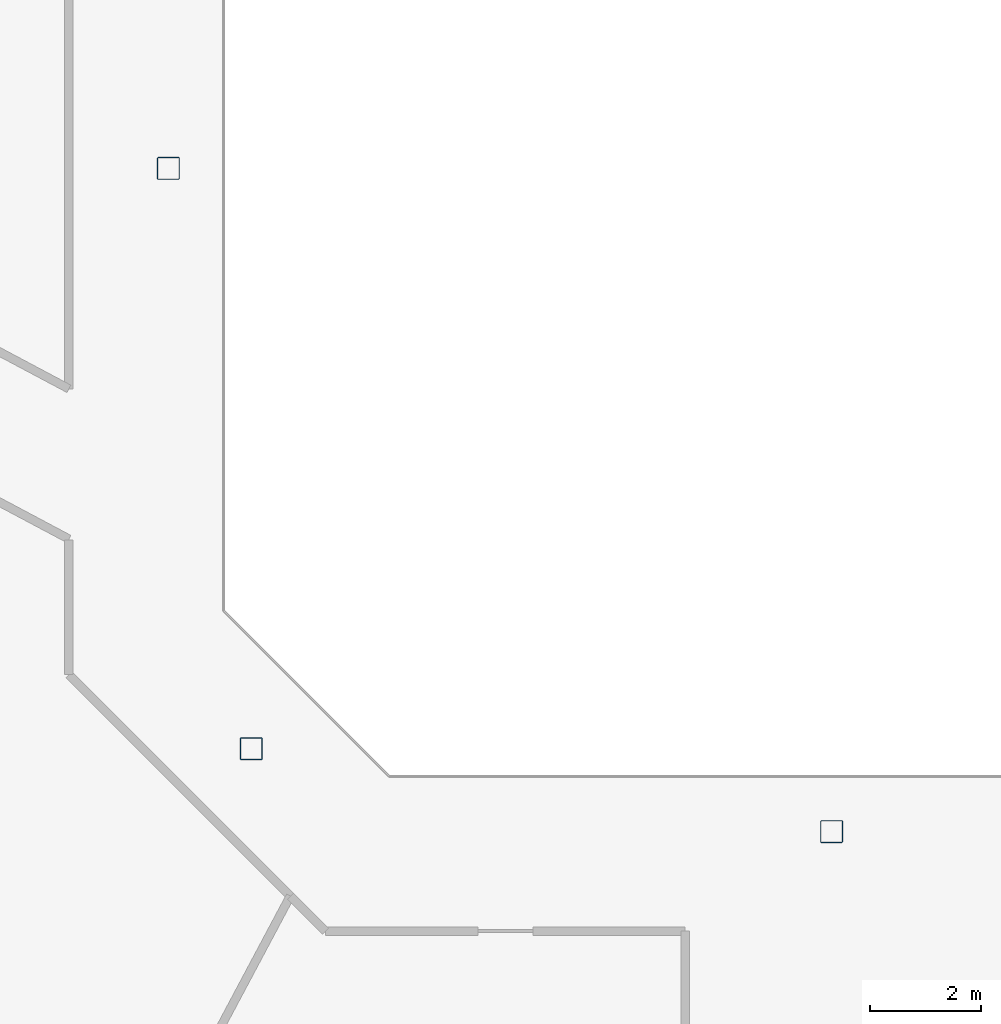
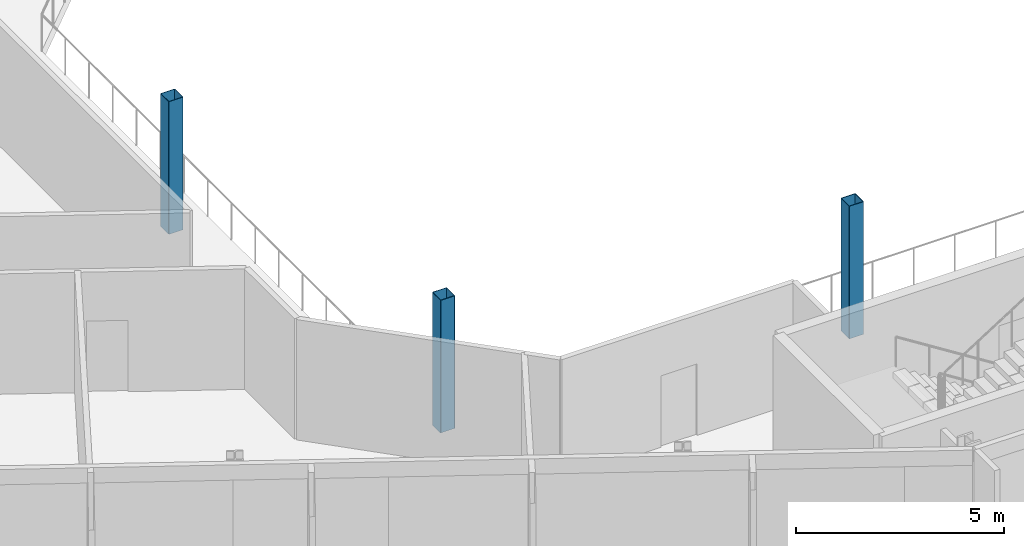
# One storey, part 2 of 27: 3 columns.
"""IFC4 building model written with IfcOpenShell, lengths in metres."""

import ifcopenshell
import ifcopenshell.guid

model = None  # the IFC model being written
_history = None  # IfcOwnerHistory: only IFC2X3 demands one
_inside = {}  # id of a spatial element -> (the spatial element, [elements in it])
_under = {}  # id of a project, library or spatial element -> (it, [spatial elements below it])
_declared = {}  # id of a project -> (the project, [libraries it declares])
_typed = {}  # id of a type object -> (the type object, [elements of that type])
_made_of = {}  # id of a material, layer set ... -> (it, [elements and type objects made of it])


def new_model(schema):
    """Start an empty IFC model of exactly this schema.

    Asked for "IFC4X3", IfcOpenShell would pick the latest addendum, in which some entities
    have other attributes; the version numbers below select the first issue.
    IFC2X3 requires an IfcOwnerHistory on every rooted entity: one is made here for all.
    """
    global model, _history
    if schema == "IFC4X3":
        model = ifcopenshell.file(schema_version=(4, 3, 0, 0))
    else:
        model = ifcopenshell.file(schema=schema)
    _inside.clear()
    _under.clear()
    _declared.clear()
    _typed.clear()
    _made_of.clear()
    _history = None
    if model.schema == "IFC2X3":
        org = make("IfcOrganization", Name="unknown")
        user = make(
            "IfcPersonAndOrganization",
            ThePerson=make("IfcPerson", FamilyName="unknown"),
            TheOrganization=org,
        )
        app = make(
            "IfcApplication",
            ApplicationDeveloper=org,
            Version="unknown",
            ApplicationFullName="unknown",
            ApplicationIdentifier="unknown",
        )
        _history = make(
            "IfcOwnerHistory",
            OwningUser=user,
            OwningApplication=app,
            ChangeAction="ADDED",
            CreationDate=0,
        )
    return model


def make(cls, **values):
    """One entity of the class cls with the attributes given. An attribute that is None is left unset."""
    return model.create_entity(
        cls, **{name: value for name, value in values.items() if value is not None}
    )


def rooted(cls, **values):
    """An entity with a GlobalId (a new one), such as an element, a storey or a relation."""
    return make(cls, GlobalId=ifcopenshell.guid.new(), OwnerHistory=_history, **values)


def si_unit(unit_type, name, prefix=None):
    """IfcSIUnit, for example si_unit("LENGTHUNIT", "METRE", prefix="MILLI")."""
    return make("IfcSIUnit", UnitType=unit_type, Prefix=prefix, Name=name)


def assignment(units):
    """IfcUnitAssignment: the units of a project."""
    return None if units is None else make("IfcUnitAssignment", Units=units)


def point(xyz):
    """IfcCartesianPoint."""
    return None if xyz is None else make("IfcCartesianPoint", Coordinates=xyz)


def direction(xyz):
    """IfcDirection."""
    return None if xyz is None else make("IfcDirection", DirectionRatios=xyz)


def frame(location, z_axis=None, x_axis=None):
    """IfcAxis2Placement3D, a coordinate frame: its origin and axes. An axis left out is left unset."""
    return make(
        "IfcAxis2Placement3D",
        Location=point(location),
        Axis=direction(z_axis),
        RefDirection=direction(x_axis),
    )


def frame_2d(location, x_axis=None):
    """IfcAxis2Placement2D, a coordinate frame in the plane: its origin and x axis."""
    return make(
        "IfcAxis2Placement2D", Location=point(location), RefDirection=direction(x_axis)
    )


def origin():
    """The frame at (0, 0, 0) with its axes left unset."""
    return frame((0.0, 0.0, 0.0))


def origin_2d():
    """The frame at (0, 0) in the plane with its x axis left unset."""
    return frame_2d((0.0, 0.0))


def place(relative_to, where):
    """IfcLocalPlacement: puts the frame where relative to a parent placement (None: the world)."""
    return make(
        "IfcLocalPlacement", PlacementRelTo=relative_to, RelativePlacement=where
    )


def context(
    kind, dimensions, precision=None, world=None, true_north=None, identifier=None
):
    """IfcGeometricRepresentationContext, for example the 3D "Model" context."""
    return make(
        "IfcGeometricRepresentationContext",
        ContextIdentifier=identifier,
        ContextType=kind,
        CoordinateSpaceDimension=dimensions,
        Precision=precision,
        WorldCoordinateSystem=world,
        TrueNorth=true_north,
    )


def subcontext(parent, identifier, kind, view, scale=None):
    """IfcGeometricRepresentationSubContext, for example "Body" below "Model"."""
    return make(
        "IfcGeometricRepresentationSubContext",
        ContextIdentifier=identifier,
        ContextType=kind,
        ParentContext=parent,
        TargetScale=scale,
        TargetView=view,
    )


def project(units=None, contexts=None):
    """IfcProject with its units and contexts."""
    return rooted(
        "IfcProject",
        Name="project",
        RepresentationContexts=contexts,
        UnitsInContext=assignment(units),
    )


def spatial(cls, under=None, at=None, **own):
    """A site, building, storey or space (cls), placed at a placement, below another one or the project."""
    s = rooted(cls, ObjectPlacement=at, **own)
    if under is not None:
        _under.setdefault(under.id(), (under, []))[1].append(s)
    return s


def profile(cls, at=None, kind="AREA", **sizes):
    """A parametric profile (cls). Its sizes go by their IFC names, for example OverallWidth=200.0."""
    return make(cls, ProfileType=kind, Position=at, **sizes)


def hollow_rectangle(**sizes):
    """IfcRectangleHollowProfileDef."""
    return profile("IfcRectangleHollowProfileDef", **sizes)


def extrude(swept, where, along, depth):
    """IfcExtrudedAreaSolid: the profile swept, set in the frame where, extruded along a direction by depth."""
    return make(
        "IfcExtrudedAreaSolid",
        SweptArea=swept,
        Position=where,
        ExtrudedDirection=direction(along),
        Depth=depth,
    )


def shape(context_of_items, identifier, shape_type, items):
    """IfcShapeRepresentation: the items that make up one representation, for example the "Body"."""
    return make(
        "IfcShapeRepresentation",
        ContextOfItems=context_of_items,
        RepresentationIdentifier=identifier,
        RepresentationType=shape_type,
        Items=items,
    )


def material(Name=None, Category=None):
    """IfcMaterial."""
    return make("IfcMaterial", Name=Name, Category=Category)


def material_profile(
    of_material, cross_section, Name=None, Category=None, Priority=None
):
    """IfcMaterialProfile: a cross section and its material."""
    return make(
        "IfcMaterialProfile",
        Name=Name,
        Material=of_material,
        Profile=cross_section,
        Priority=Priority,
        Category=Category,
    )


def profile_set(profiles, Name=None, composite=None):
    """IfcMaterialProfileSet."""
    return make(
        "IfcMaterialProfileSet",
        Name=Name,
        MaterialProfiles=profiles,
        CompositeProfile=composite,
    )


def made_of(thing, what):
    """Note that an element or type object is made of a material, layer set ...; save() writes the relation."""
    if what is not None:
        _made_of.setdefault(what.id(), (what, []))[1].append(thing)
    return thing


def type_object(cls, material=None, **own):
    """A type object (cls), such as IfcWallType, which elements share."""
    return made_of(rooted(cls, **own), material)


def element(
    cls,
    number,
    at=None,
    inside=None,
    cuts=None,
    type_object=None,
    material=None,
    context=None,
    identifier="Body",
    shape_type=None,
    held_by="IfcProductDefinitionShape",
    body=None,
    shapes=None,
    **own,
):
    """One element of the class cls, such as IfcWall. Its Tag is "e" and its number.

    at: its placement. inside: the storey or other place that contains it. cuts: it is an
    opening in that element (IfcRelVoidsElement). A single representation is given by context,
    identifier, shape_type and body (its items); several are given by shapes. held_by: the class
    of the entity that holds the representations. save() writes the other relations.
    """
    e = rooted(cls, Tag="e%d" % number, ObjectPlacement=at, **own)
    if body is not None:
        shapes = [shape(context, identifier, shape_type, body)]
    if shapes is not None:
        e.Representation = make(held_by, Representations=shapes)
    if inside is not None:
        _inside.setdefault(inside.id(), (inside, []))[1].append(e)
    if cuts is not None:
        rooted(
            "IfcRelVoidsElement", RelatingBuildingElement=cuts, RelatedOpeningElement=e
        )
    if type_object is not None:
        _typed.setdefault(type_object.id(), (type_object, []))[1].append(e)
    return made_of(e, material)


def aggregate(whole, parts):
    """IfcRelAggregates: a whole, such as a stair, and the parts it consists of."""
    return rooted("IfcRelAggregates", RelatingObject=whole, RelatedObjects=parts)


def save(model, path):
    """Write the relations noted so far, then the file.

    IfcRelAggregates (storeys below a building ...), IfcRelContainedInSpatialStructure (elements
    in a storey), IfcRelDefinesByType, IfcRelAssociatesMaterial and IfcRelDeclares: one each for
    every whole, place, type object, material and project.
    """
    for whole, parts in _under.values():
        aggregate(whole, parts)
    for where, things in _inside.values():
        rooted(
            "IfcRelContainedInSpatialStructure",
            RelatedElements=things,
            RelatingStructure=where,
        )
    for kind, things in _typed.values():
        rooted("IfcRelDefinesByType", RelatedObjects=things, RelatingType=kind)
    for what, things in _made_of.values():
        rooted("IfcRelAssociatesMaterial", RelatedObjects=things, RelatingMaterial=what)
    for by, libraries in _declared.values():
        rooted("IfcRelDeclares", RelatingContext=by, RelatedDefinitions=libraries)
    model.write(path)


model = new_model("IFC4")

# Units and contexts
model_context = context("Model", 3, precision=1e-05, world=origin(), true_north=direction((0.0, 1.0)))
body_context = subcontext(model_context, "Body", "Model", "MODEL_VIEW")
ifc_project = project(units=[si_unit("LENGTHUNIT", "METRE"), si_unit("AREAUNIT", "SQUARE_METRE"), si_unit("VOLUMEUNIT", "CUBIC_METRE"), si_unit("PLANEANGLEUNIT", "RADIAN"), si_unit("MASSUNIT", "GRAM", prefix="KILO")], contexts=[model_context])

# Site, building, storey
site_placement = place(None, origin())
site = spatial("IfcSite", under=ifc_project, at=site_placement, CompositionType="ELEMENT")
building_placement = place(site_placement, origin())
building = spatial("IfcBuilding", under=site, at=building_placement, Name="Cormorant Relay Tower", CompositionType="ELEMENT")
storey_placement = place(building_placement, frame((0.0, 0.0, 209.10009765625)))
storey = spatial("IfcBuildingStorey", under=building, at=storey_placement, Name="L45", CompositionType="ELEMENT", Elevation=209.10009765625)

# Columns
ifc_material = material(Name="Steel ASTM A500 Grade C (Fy 345 MPa)", Category="steel")
ifc_material_profile = material_profile(ifc_material, hollow_rectangle(XDim=0.406494140625, YDim=0.406494140625, WallThickness=0.0146484375, InnerFilletRadius=0.00732421875, OuterFilletRadius=0.022216796875, at=origin_2d()), Name="HSS406x406x15")
ifc_profile_set = profile_set([ifc_material_profile], Name="Steel ASTM A500 Grade C (Fy 345 MPa)")
column_type = type_object("IfcColumnType", Name="Column HSS406x406x15", PredefinedType="COLUMN", material=ifc_profile_set)
for number, where, z_axis, x_axis, name in (
    (1, (0.0, -12.0, 0.0), (0.0, 0.0, 1.0), (1.0, 0.0, 0.0), "Column L45-007"),
    (2, (-10.5, -10.5, 0.0), (0.0, 0.0, 1.0), (1.0, 0.0, 0.0), "Column L45-009"),
    (3, (-12.0, 0.0, 0.0), (0.0, 0.0, 1.0), (1.0, 0.0, 0.0), "Column L45-015"),
):
    element("IfcColumn", number, at=place(storey_placement, frame(where, z_axis=z_axis, x_axis=x_axis)), inside=storey, type_object=column_type, Name=name, PredefinedType="COLUMN", context=body_context, shape_type="SweptSolid", body=[
        extrude(hollow_rectangle(XDim=0.406494140625, YDim=0.406494140625, WallThickness=0.0146484375, InnerFilletRadius=0.00732421875, OuterFilletRadius=0.022216796875, at=origin_2d()), origin(), (0.0, 0.0, 1.0), 3.89990234375),
    ])

save(model, "model.ifc")
